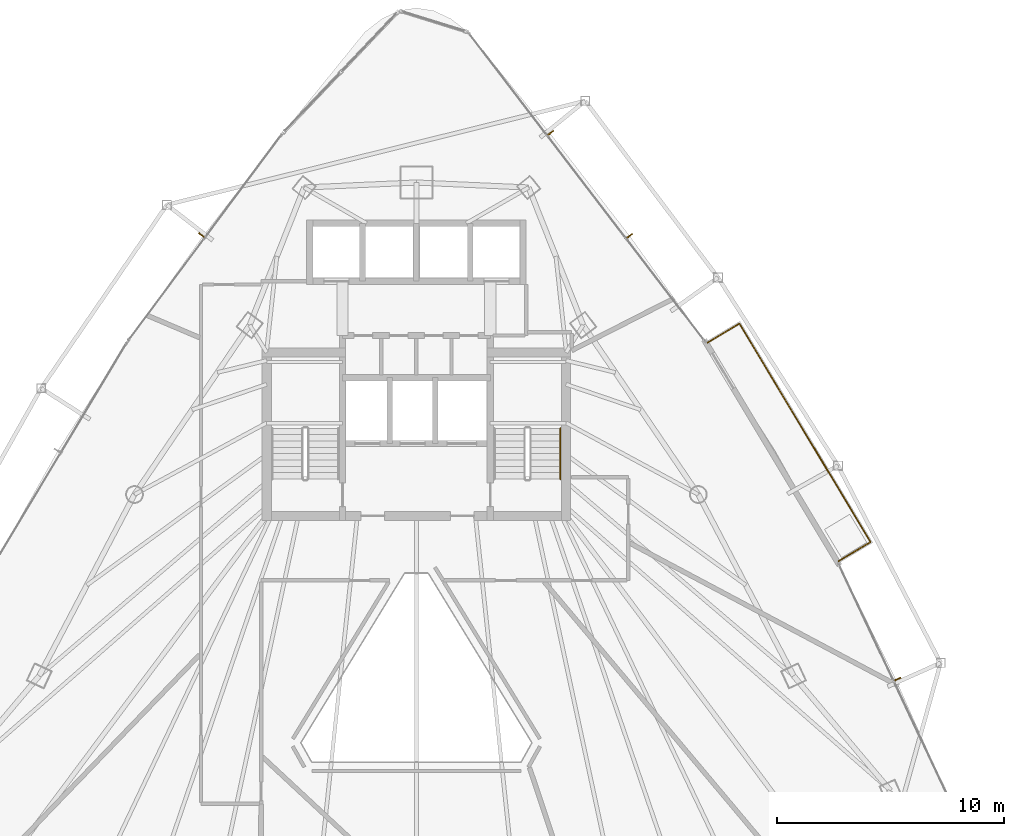
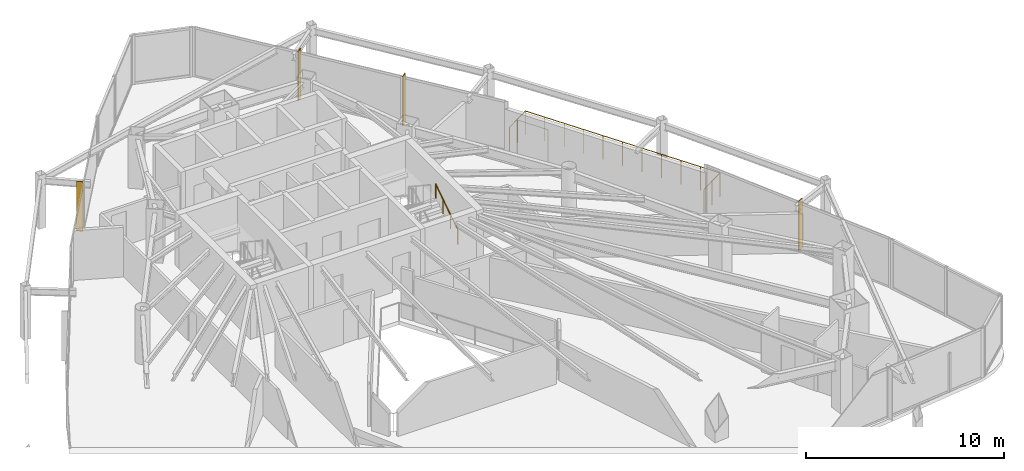
# One storey, part 31 of 31: 4 shading devices, 2 railings.
"""IFC4 building model written with IfcOpenShell, lengths in metres."""

import ifcopenshell
import ifcopenshell.guid

model = None  # the IFC model being written
_history = None  # IfcOwnerHistory: only IFC2X3 demands one
_inside = {}  # id of a spatial element -> (the spatial element, [elements in it])
_under = {}  # id of a project, library or spatial element -> (it, [spatial elements below it])
_declared = {}  # id of a project -> (the project, [libraries it declares])
_typed = {}  # id of a type object -> (the type object, [elements of that type])
_made_of = {}  # id of a material, layer set ... -> (it, [elements and type objects made of it])


def new_model(schema):
    """Start an empty IFC model of exactly this schema.

    Asked for "IFC4X3", IfcOpenShell would pick the latest addendum, in which some entities
    have other attributes; the version numbers below select the first issue.
    IFC2X3 requires an IfcOwnerHistory on every rooted entity: one is made here for all.
    """
    global model, _history
    if schema == "IFC4X3":
        model = ifcopenshell.file(schema_version=(4, 3, 0, 0))
    else:
        model = ifcopenshell.file(schema=schema)
    _inside.clear()
    _under.clear()
    _declared.clear()
    _typed.clear()
    _made_of.clear()
    _history = None
    if model.schema == "IFC2X3":
        org = make("IfcOrganization", Name="unknown")
        user = make(
            "IfcPersonAndOrganization",
            ThePerson=make("IfcPerson", FamilyName="unknown"),
            TheOrganization=org,
        )
        app = make(
            "IfcApplication",
            ApplicationDeveloper=org,
            Version="unknown",
            ApplicationFullName="unknown",
            ApplicationIdentifier="unknown",
        )
        _history = make(
            "IfcOwnerHistory",
            OwningUser=user,
            OwningApplication=app,
            ChangeAction="ADDED",
            CreationDate=0,
        )
    return model


def make(cls, **values):
    """One entity of the class cls with the attributes given. An attribute that is None is left unset."""
    return model.create_entity(
        cls, **{name: value for name, value in values.items() if value is not None}
    )


def rooted(cls, **values):
    """An entity with a GlobalId (a new one), such as an element, a storey or a relation."""
    return make(cls, GlobalId=ifcopenshell.guid.new(), OwnerHistory=_history, **values)


def si_unit(unit_type, name, prefix=None):
    """IfcSIUnit, for example si_unit("LENGTHUNIT", "METRE", prefix="MILLI")."""
    return make("IfcSIUnit", UnitType=unit_type, Prefix=prefix, Name=name)


def assignment(units):
    """IfcUnitAssignment: the units of a project."""
    return None if units is None else make("IfcUnitAssignment", Units=units)


def point(xyz):
    """IfcCartesianPoint."""
    return None if xyz is None else make("IfcCartesianPoint", Coordinates=xyz)


def direction(xyz):
    """IfcDirection."""
    return None if xyz is None else make("IfcDirection", DirectionRatios=xyz)


def frame(location, z_axis=None, x_axis=None):
    """IfcAxis2Placement3D, a coordinate frame: its origin and axes. An axis left out is left unset."""
    return make(
        "IfcAxis2Placement3D",
        Location=point(location),
        Axis=direction(z_axis),
        RefDirection=direction(x_axis),
    )


def frame_2d(location, x_axis=None):
    """IfcAxis2Placement2D, a coordinate frame in the plane: its origin and x axis."""
    return make(
        "IfcAxis2Placement2D", Location=point(location), RefDirection=direction(x_axis)
    )


def origin():
    """The frame at (0, 0, 0) with its axes left unset."""
    return frame((0.0, 0.0, 0.0))


def origin_2d():
    """The frame at (0, 0) in the plane with its x axis left unset."""
    return frame_2d((0.0, 0.0))


def place(relative_to, where):
    """IfcLocalPlacement: puts the frame where relative to a parent placement (None: the world)."""
    return make(
        "IfcLocalPlacement", PlacementRelTo=relative_to, RelativePlacement=where
    )


def context(
    kind, dimensions, precision=None, world=None, true_north=None, identifier=None
):
    """IfcGeometricRepresentationContext, for example the 3D "Model" context."""
    return make(
        "IfcGeometricRepresentationContext",
        ContextIdentifier=identifier,
        ContextType=kind,
        CoordinateSpaceDimension=dimensions,
        Precision=precision,
        WorldCoordinateSystem=world,
        TrueNorth=true_north,
    )


def subcontext(parent, identifier, kind, view, scale=None):
    """IfcGeometricRepresentationSubContext, for example "Body" below "Model"."""
    return make(
        "IfcGeometricRepresentationSubContext",
        ContextIdentifier=identifier,
        ContextType=kind,
        ParentContext=parent,
        TargetScale=scale,
        TargetView=view,
    )


def project(units=None, contexts=None):
    """IfcProject with its units and contexts."""
    return rooted(
        "IfcProject",
        Name="project",
        RepresentationContexts=contexts,
        UnitsInContext=assignment(units),
    )


def spatial(cls, under=None, at=None, **own):
    """A site, building, storey or space (cls), placed at a placement, below another one or the project."""
    s = rooted(cls, ObjectPlacement=at, **own)
    if under is not None:
        _under.setdefault(under.id(), (under, []))[1].append(s)
    return s


def profile(cls, at=None, kind="AREA", **sizes):
    """A parametric profile (cls). Its sizes go by their IFC names, for example OverallWidth=200.0."""
    return make(cls, ProfileType=kind, Position=at, **sizes)


def rectangle(**sizes):
    """IfcRectangleProfileDef."""
    return profile("IfcRectangleProfileDef", **sizes)


def circle(**sizes):
    """IfcCircleProfileDef."""
    return profile("IfcCircleProfileDef", **sizes)


def extrude(swept, where, along, depth):
    """IfcExtrudedAreaSolid: the profile swept, set in the frame where, extruded along a direction by depth."""
    return make(
        "IfcExtrudedAreaSolid",
        SweptArea=swept,
        Position=where,
        ExtrudedDirection=direction(along),
        Depth=depth,
    )


def shape(context_of_items, identifier, shape_type, items):
    """IfcShapeRepresentation: the items that make up one representation, for example the "Body"."""
    return make(
        "IfcShapeRepresentation",
        ContextOfItems=context_of_items,
        RepresentationIdentifier=identifier,
        RepresentationType=shape_type,
        Items=items,
    )


def material(Name=None, Category=None):
    """IfcMaterial."""
    return make("IfcMaterial", Name=Name, Category=Category)


def layer(
    of_material, thickness, ventilated=None, Name=None, Category=None, Priority=None
):
    """IfcMaterialLayer: one layer of a wall or slab, of a material (None: an air gap)."""
    return make(
        "IfcMaterialLayer",
        Material=of_material,
        LayerThickness=thickness,
        IsVentilated=ventilated,
        Name=Name,
        Category=Category,
        Priority=Priority,
    )


def layer_set(layers, Name=None):
    """IfcMaterialLayerSet."""
    return make("IfcMaterialLayerSet", MaterialLayers=layers, LayerSetName=Name)


def made_of(thing, what):
    """Note that an element or type object is made of a material, layer set ...; save() writes the relation."""
    if what is not None:
        _made_of.setdefault(what.id(), (what, []))[1].append(thing)
    return thing


def type_object(cls, material=None, **own):
    """A type object (cls), such as IfcWallType, which elements share."""
    return made_of(rooted(cls, **own), material)


def element(
    cls,
    number,
    at=None,
    inside=None,
    cuts=None,
    type_object=None,
    material=None,
    context=None,
    identifier="Body",
    shape_type=None,
    held_by="IfcProductDefinitionShape",
    body=None,
    shapes=None,
    **own,
):
    """One element of the class cls, such as IfcWall. Its Tag is "e" and its number.

    at: its placement. inside: the storey or other place that contains it. cuts: it is an
    opening in that element (IfcRelVoidsElement). A single representation is given by context,
    identifier, shape_type and body (its items); several are given by shapes. held_by: the class
    of the entity that holds the representations. save() writes the other relations.
    """
    e = rooted(cls, Tag="e%d" % number, ObjectPlacement=at, **own)
    if body is not None:
        shapes = [shape(context, identifier, shape_type, body)]
    if shapes is not None:
        e.Representation = make(held_by, Representations=shapes)
    if inside is not None:
        _inside.setdefault(inside.id(), (inside, []))[1].append(e)
    if cuts is not None:
        rooted(
            "IfcRelVoidsElement", RelatingBuildingElement=cuts, RelatedOpeningElement=e
        )
    if type_object is not None:
        _typed.setdefault(type_object.id(), (type_object, []))[1].append(e)
    return made_of(e, material)


def aggregate(whole, parts):
    """IfcRelAggregates: a whole, such as a stair, and the parts it consists of."""
    return rooted("IfcRelAggregates", RelatingObject=whole, RelatedObjects=parts)


def save(model, path):
    """Write the relations noted so far, then the file.

    IfcRelAggregates (storeys below a building ...), IfcRelContainedInSpatialStructure (elements
    in a storey), IfcRelDefinesByType, IfcRelAssociatesMaterial and IfcRelDeclares: one each for
    every whole, place, type object, material and project.
    """
    for whole, parts in _under.values():
        aggregate(whole, parts)
    for where, things in _inside.values():
        rooted(
            "IfcRelContainedInSpatialStructure",
            RelatedElements=things,
            RelatingStructure=where,
        )
    for kind, things in _typed.values():
        rooted("IfcRelDefinesByType", RelatedObjects=things, RelatingType=kind)
    for what, things in _made_of.values():
        rooted("IfcRelAssociatesMaterial", RelatedObjects=things, RelatingMaterial=what)
    for by, libraries in _declared.values():
        rooted("IfcRelDeclares", RelatingContext=by, RelatedDefinitions=libraries)
    model.write(path)


model = new_model("IFC4")

# Units and contexts
model_context = context("Model", 3, precision=1e-05, world=origin(), true_north=direction((0.0, 1.0)))
body_context = subcontext(model_context, "Body", "Model", "MODEL_VIEW")
ifc_project = project(units=[si_unit("LENGTHUNIT", "METRE"), si_unit("AREAUNIT", "SQUARE_METRE"), si_unit("VOLUMEUNIT", "CUBIC_METRE"), si_unit("PLANEANGLEUNIT", "RADIAN"), si_unit("MASSUNIT", "GRAM", prefix="KILO")], contexts=[model_context])

# Site, building, storey
site_placement = place(None, origin())
site = spatial("IfcSite", under=ifc_project, at=site_placement, CompositionType="ELEMENT")
building_placement = place(site_placement, origin())
building = spatial("IfcBuilding", under=site, at=building_placement, Name="Orvanel Arch Residences", CompositionType="ELEMENT")
storey_placement = place(building_placement, frame((0.0, 0.0, 129.800048828125)))
storey = spatial("IfcBuildingStorey", under=building, at=storey_placement, Name="L36", CompositionType="ELEMENT", Elevation=129.800048828125)

# Shading devices
ifc_material_1 = material(Name="Bronze-anodised aluminium AA6063-T6", Category="aluminium")
ifc_layer = layer(ifc_material_1, 0.054931640625)
ifc_layer_set = layer_set([ifc_layer], Name="Bronze-anodised aluminium AA6063-T6")
shading_device_type = type_object("IfcShadingDeviceType", Name="FIN-BRZ-320", PredefinedType="USERDEFINED", material=ifc_layer_set)
for number, where, z_axis, x_axis, name in (
    (1, (23.52587890625, 39.077880859375, 0.0), (0.0, 0.0, 1.0), (-0.801775644244, 0.597625146976, 0.0), "L36 Anodised Bronze Mullion FIN 01"),
    (2, (54.219970703125, 19.498046875, 0.0), (0.0, 0.0, 1.0), (0.904827052466, 0.425779291565, 0.0), "L36 Anodised Bronze Mullion FIN 01"),
    (3, (42.40087890625, 39.0439453125, 0.0), (0.0, 0.0, 1.0), (0.793353340291, 0.608761429009, 0.0), "L36 Anodised Bronze Mullion FIN 01"),
    (4, (38.919921875, 43.5859375, 0.0), (0.0, 0.0, 1.0), (0.793353340291, 0.608761429009, 0.0), "L36 Anodised Bronze Mullion FIN 02"),
):
    element("IfcShadingDevice", number, at=place(storey_placement, frame(where, z_axis=z_axis, x_axis=x_axis)), inside=storey, type_object=shading_device_type, Name=name, ObjectType="FIN", PredefinedType="USERDEFINED", context=body_context, shape_type="SweptSolid", body=[
        extrude(rectangle(XDim=0.320068359375, YDim=0.054931640625, at=origin_2d()), origin(), (0.0, 0.0, 1.0), 3.06005859375),
    ])

# Railings
railing_type_1 = type_object("IfcRailingType", Name="RL-BAL-1480", PredefinedType="BALUSTRADE", material=ifc_material_1)
railing_1_placement = place(storey_placement, frame((51.618896484375, 24.697998046875, 0.0)))
element("IfcRailing", 5, at=railing_1_placement, inside=storey, type_object=railing_type_1, Name="L36 Balcony Perimeter Guardrail Face 3", PredefinedType="BALUSTRADE", context=body_context, shape_type="SweptSolid", body=[
    extrude(circle(Radius=0.02392578125, at=origin_2d()), frame((0.001220703125, 0.000732421875, 1.4560546875), z_axis=(0.857545439568, 0.514408222208, 0.0), x_axis=(-0.514408222208, 0.857545439568, 0.0)), (0.0, 0.0, 1.0), 1.6376953125),
    extrude(circle(Radius=0.02392578125, at=origin_2d()), frame((1.40625, 0.84521484375, 1.4560546875), z_axis=(-0.51440310195, 0.857548510992, 0.0), x_axis=(-0.857548510992, -0.51440310195, 0.0)), (0.0, 0.0, 1.0), 11.23486328125),
    extrude(circle(Radius=0.02392578125, at=origin_2d()), frame((-4.375, 10.480224609375, 1.4560546875), z_axis=(-0.857387817543, -0.514670895164, 0.0), x_axis=(0.514670895164, -0.857387817543, 0.0)), (0.0, 0.0, 1.0), 1.636962890625),
    extrude(circle(Radius=0.02099609375, at=origin_2d()), origin(), (0.0, 0.0, 1.0), 1.429931640625),
    extrude(circle(Radius=0.02099609375, at=origin_2d()), frame((0.70361328125, 0.421875, 0.0)), (0.0, 0.0, 1.0), 1.429931640625),
    extrude(circle(Radius=0.02099609375, at=origin_2d()), frame((1.406982421875, 0.843994140625, 0.0)), (0.0, 0.0, 1.0), 1.429931640625),
    extrude(circle(Radius=0.02099609375, at=origin_2d()), frame((0.828857421875, 1.8076171875, 0.0)), (0.0, 0.0, 1.0), 1.429931640625),
    extrude(circle(Radius=0.02099609375, at=origin_2d()), frame((0.250732421875, 2.771484375, 0.0)), (0.0, 0.0, 1.0), 1.429931640625),
    extrude(circle(Radius=0.02099609375, at=origin_2d()), frame((-0.3271484375, 3.735107421875, 0.0)), (0.0, 0.0, 1.0), 1.429931640625),
    extrude(circle(Radius=0.02099609375, at=origin_2d()), frame((-0.9052734375, 4.69873046875, 0.0)), (0.0, 0.0, 1.0), 1.429931640625),
    extrude(circle(Radius=0.02099609375, at=origin_2d()), frame((-1.4833984375, 5.66259765625, 0.0)), (0.0, 0.0, 1.0), 1.429931640625),
    extrude(circle(Radius=0.02099609375, at=origin_2d()), frame((-2.0615234375, 6.626220703125, 0.0)), (0.0, 0.0, 1.0), 1.429931640625),
    extrude(circle(Radius=0.02099609375, at=origin_2d()), frame((-2.6396484375, 7.58984375, 0.0)), (0.0, 0.0, 1.0), 1.429931640625),
    extrude(circle(Radius=0.02099609375, at=origin_2d()), frame((-3.217529296875, 8.553466796875, 0.0)), (0.0, 0.0, 1.0), 1.429931640625),
    extrude(circle(Radius=0.02099609375, at=origin_2d()), frame((-3.795654296875, 9.517333984375, 0.0)), (0.0, 0.0, 1.0), 1.429931640625),
    extrude(circle(Radius=0.02099609375, at=origin_2d()), frame((-4.373779296875, 10.48095703125, 0.0)), (0.0, 0.0, 1.0), 1.429931640625),
    extrude(circle(Radius=0.02099609375, at=origin_2d()), frame((-5.07666015625, 10.05908203125, 0.0)), (0.0, 0.0, 1.0), 1.429931640625),
    extrude(circle(Radius=0.02099609375, at=origin_2d()), frame((-5.77978515625, 9.636962890625, 0.0)), (0.0, 0.0, 1.0), 1.429931640625),
])
ifc_material_2 = material(Name="Structural steel AS/NZS 1163 C350L0 (Grade 350)", Category="steel")
railing_type_2 = type_object("IfcRailingType", Name="RL-STAIR-HAND", PredefinedType="HANDRAIL", material=ifc_material_2)
railing_2_placement = place(storey_placement, frame((39.35009765625, 28.320068359375, 0.183349609375)))
element("IfcRailing", 6, at=railing_2_placement, inside=storey, type_object=railing_type_2, Name="L36 ST-2 stair handrail 1", PredefinedType="HANDRAIL", context=body_context, shape_type="SweptSolid", body=[
    extrude(circle(Radius=0.02392578125, at=origin_2d()), frame((0.0, 0.001220703125, 0.876708984375), z_axis=(0.0, 0.836636935527, 0.547757827979), x_axis=(-1.0, 0.0, 0.0)), (0.0, 0.0, 1.0), 2.67431640625),
    extrude(circle(Radius=0.02099609375, at=origin_2d()), origin(), (0.0, 0.0, 1.0), 0.849853515625),
    extrude(circle(Radius=0.02099609375, at=origin_2d()), frame((0.0, 0.74658203125, 0.48876953125)), (0.0, 0.0, 1.0), 0.849853515625),
    extrude(circle(Radius=0.02099609375, at=origin_2d()), frame((0.0, 1.493408203125, 0.977783203125)), (0.0, 0.0, 1.0), 0.849853515625),
    extrude(circle(Radius=0.02099609375, at=origin_2d()), frame((0.0, 2.239990234375, 1.466552734375)), (0.0, 0.0, 1.0), 0.849853515625),
])

save(model, "model.ifc")
